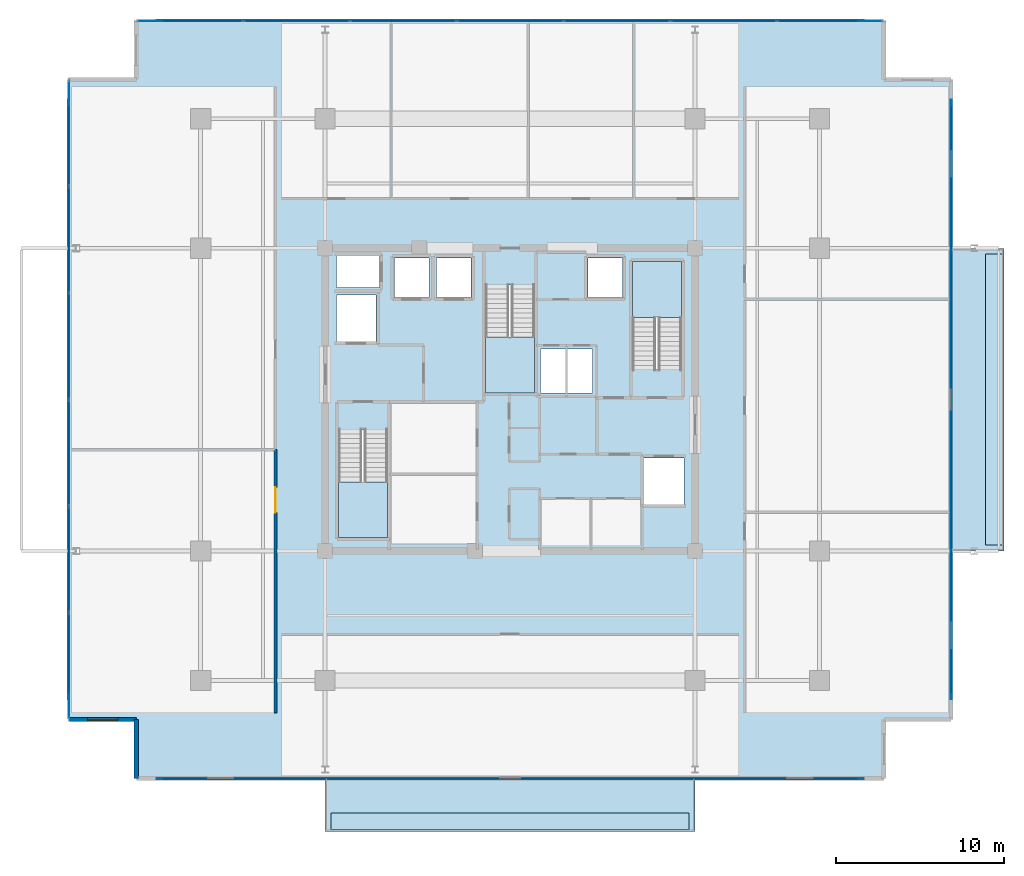
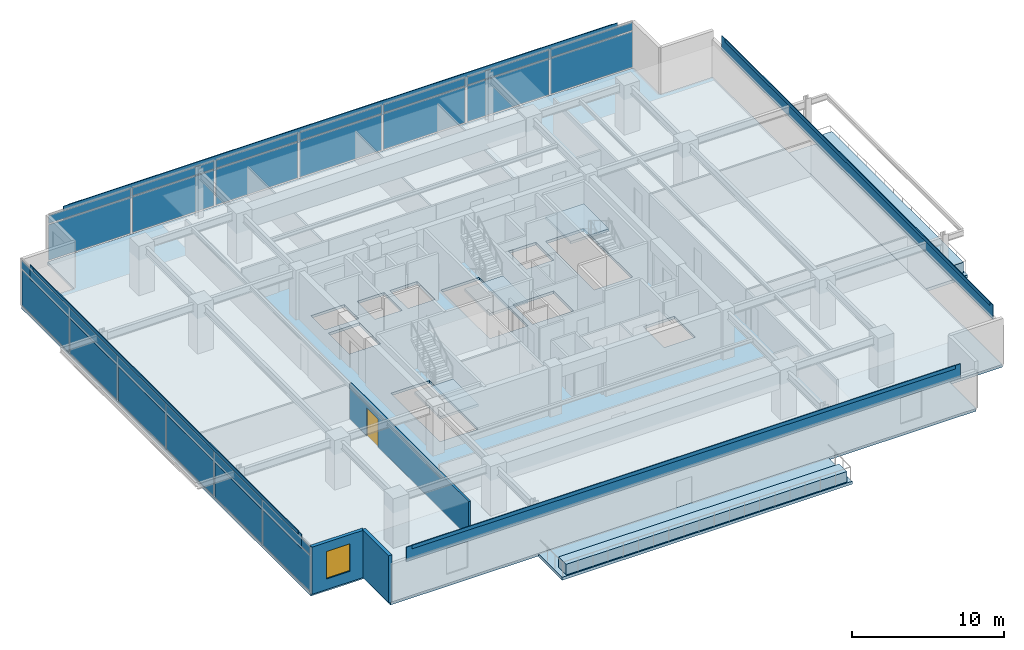
# One storey, part 15 of 23: 34 plates, 8 slabs, 3 walls, 1 door, 1 window, 2 openings, 5 elements without a shape of their own.
"""IFC4 building model written with IfcOpenShell, lengths in metres."""

from ifc_helpers import new_model, si_unit, direction, frame, frame_2d, origin, origin_2d, place, context, subcontext, project, spatial, polyline, rectangle, outline, extrude, material, layer, layer_set, type_object, element, fill, aggregate, save


model = new_model("IFC4")

# Units and contexts
model_context = context("Model", 3, precision=1e-05, world=origin(), true_north=direction((0.0, 1.0)))
body_context = subcontext(model_context, "Body", "Model", "MODEL_VIEW")
ifc_project = project(units=[si_unit("LENGTHUNIT", "METRE"), si_unit("AREAUNIT", "SQUARE_METRE"), si_unit("VOLUMEUNIT", "CUBIC_METRE"), si_unit("PLANEANGLEUNIT", "RADIAN"), si_unit("MASSUNIT", "GRAM", prefix="KILO")], contexts=[model_context])

# Site, building, storey
site_placement = place(None, origin())
site = spatial("IfcSite", under=ifc_project, at=site_placement, CompositionType="ELEMENT")
building_placement = place(site_placement, origin())
building = spatial("IfcBuilding", under=site, at=building_placement, Name="Kovane Verandah Tower", CompositionType="ELEMENT")
storey_placement = place(building_placement, frame((0.0, 0.0, 267.199951171875)))
storey = spatial("IfcBuildingStorey", under=building, at=storey_placement, Name="L62", CompositionType="ELEMENT", Elevation=267.199951171875)

# Curtain wall, plates
ifc_material_1 = material(Name="Champagne Anodised Aluminium Frame with Low-E Clear Laminated Glass", Category="aluminium")
curtain_wall_type = type_object("IfcCurtainWallType", Name="CW-SYS-05-HIGH", PredefinedType="NOTDEFINED", material=ifc_material_1)
curtain_wall_1_placement = place(storey_placement, origin())
curtain_wall_1 = element("IfcCurtainWall", 1, at=curtain_wall_1_placement, inside=storey, type_object=curtain_wall_type, Name="L62 N Unitised Curtain Wall", PredefinedType="NOTDEFINED")
ifc_material_2 = material(Name="Pale Champagne Anodised Aluminium Insulated Spandrel", Category="aluminium")
ifc_layer_1 = layer(ifc_material_2, 0.0400390625)
ifc_layer_set_1 = layer_set([ifc_layer_1], Name="Pale Champagne Anodised Aluminium Insulated Spandrel")
plate_type_1 = type_object("IfcPlateType", Name="PL-CW-SPD-40", PredefinedType="SHEET", material=ifc_layer_set_1)
plate_1_placement = place(storey_placement, frame((59.046142578125, 50.0234375, 3.05517578125), z_axis=(0.0, 0.0, 1.0), x_axis=(-1.0, 0.0, 0.0)))
plate_1 = element("IfcPlate", 2, at=plate_1_placement, type_object=plate_type_1, Name="L62 N Unitised Curtain Wall Spandrel Panel 1", PredefinedType="SHEET", context=body_context, shape_type="SweptSolid", body=[
    extrude(rectangle(XDim=6.208740234375, YDim=0.0400390625, at=origin_2d()), origin(), (0.0, 0.0, 1.0), 0.639892578125),
])
plate_2_placement = place(storey_placement, frame((52.697509765625, 50.0234375, 3.05517578125), z_axis=(0.0, 0.0, 1.0), x_axis=(-1.0, 0.0, 0.0)))
plate_2 = element("IfcPlate", 3, at=plate_2_placement, type_object=plate_type_1, Name="L62 N Unitised Curtain Wall Spandrel Panel 2", PredefinedType="SHEET", context=body_context, shape_type="SweptSolid", body=[
    extrude(rectangle(XDim=6.208740234375, YDim=0.0400390625, at=origin_2d()), origin(), (0.0, 0.0, 1.0), 0.639892578125),
])
plate_3_placement = place(storey_placement, frame((46.3486328125, 50.0234375, 3.05517578125), z_axis=(0.0, 0.0, 1.0), x_axis=(-1.0, 0.0, 0.0)))
plate_3 = element("IfcPlate", 4, at=plate_3_placement, type_object=plate_type_1, Name="L62 N Unitised Curtain Wall Spandrel Panel 3", PredefinedType="SHEET", context=body_context, shape_type="SweptSolid", body=[
    extrude(rectangle(XDim=6.208740234375, YDim=0.0400390625, at=origin_2d()), origin(), (0.0, 0.0, 1.0), 0.639892578125),
])
plate_4_placement = place(storey_placement, frame((40.0, 50.0234375, 3.05517578125), z_axis=(0.0, 0.0, 1.0), x_axis=(-1.0, 0.0, 0.0)))
plate_4 = element("IfcPlate", 5, at=plate_4_placement, type_object=plate_type_1, Name="L62 N Unitised Curtain Wall Spandrel Panel 4", PredefinedType="SHEET", context=body_context, shape_type="SweptSolid", body=[
    extrude(rectangle(XDim=6.208740234375, YDim=0.0400390625, at=origin_2d()), origin(), (0.0, 0.0, 1.0), 0.639892578125),
])
plate_5_placement = place(storey_placement, frame((33.6513671875, 50.0234375, 3.05517578125), z_axis=(0.0, 0.0, 1.0), x_axis=(-1.0, 0.0, 0.0)))
plate_5 = element("IfcPlate", 6, at=plate_5_placement, type_object=plate_type_1, Name="L62 N Unitised Curtain Wall Spandrel Panel 5", PredefinedType="SHEET", context=body_context, shape_type="SweptSolid", body=[
    extrude(rectangle(XDim=6.208740234375, YDim=0.0400390625, at=origin_2d()), origin(), (0.0, 0.0, 1.0), 0.639892578125),
])
plate_6_placement = place(storey_placement, frame((27.302490234375, 50.0234375, 3.05517578125), z_axis=(0.0, 0.0, 1.0), x_axis=(-1.0, 0.0, 0.0)))
plate_6 = element("IfcPlate", 7, at=plate_6_placement, type_object=plate_type_1, Name="L62 N Unitised Curtain Wall Spandrel Panel 6", PredefinedType="SHEET", context=body_context, shape_type="SweptSolid", body=[
    extrude(rectangle(XDim=6.208740234375, YDim=0.0400390625, at=origin_2d()), origin(), (0.0, 0.0, 1.0), 0.639892578125),
])
plate_7_placement = place(storey_placement, frame((20.953857421875, 50.0234375, 3.05517578125), z_axis=(0.0, 0.0, 1.0), x_axis=(-1.0, 0.0, 0.0)))
plate_7 = element("IfcPlate", 8, at=plate_7_placement, type_object=plate_type_1, Name="L62 N Unitised Curtain Wall Spandrel Panel 7", PredefinedType="SHEET", context=body_context, shape_type="SweptSolid", body=[
    extrude(rectangle(XDim=6.208740234375, YDim=0.0400390625, at=origin_2d()), origin(), (0.0, 0.0, 1.0), 0.639892578125),
])

curtain_wall_2_placement = place(storey_placement, origin())
curtain_wall_2 = element("IfcCurtainWall", 9, at=curtain_wall_2_placement, inside=storey, type_object=curtain_wall_type, Name="L62 W Unitised Curtain Wall", PredefinedType="NOTDEFINED")
plate_8_placement = place(storey_placement, frame((13.779296875, 43.352783203125, 3.05517578125), z_axis=(0.0, 0.0, 1.0), x_axis=(0.0, -1.0, 0.0)))
plate_8 = element("IfcPlate", 10, at=plate_8_placement, type_object=plate_type_1, Name="L62 W Unitised Curtain Wall Spandrel Panel 1", PredefinedType="SHEET", context=body_context, shape_type="SweptSolid", body=[
    extrude(rectangle(XDim=6.201171875, YDim=0.0400390625, at=origin_2d()), origin(), (0.0, 0.0, 1.0), 0.639892578125),
])
plate_9_placement = place(storey_placement, frame((13.779296875, 37.01171875, 3.05517578125), z_axis=(0.0, 0.0, 1.0), x_axis=(0.0, -1.0, 0.0)))
plate_9 = element("IfcPlate", 11, at=plate_9_placement, type_object=plate_type_1, Name="L62 W Unitised Curtain Wall Spandrel Panel 2", PredefinedType="SHEET", context=body_context, shape_type="SweptSolid", body=[
    extrude(rectangle(XDim=6.201171875, YDim=0.0400390625, at=origin_2d()), origin(), (0.0, 0.0, 1.0), 0.639892578125),
])
plate_10_placement = place(storey_placement, frame((13.779296875, 30.670654296875, 3.05517578125), z_axis=(0.0, 0.0, 1.0), x_axis=(0.0, -1.0, 0.0)))
plate_10 = element("IfcPlate", 12, at=plate_10_placement, type_object=plate_type_1, Name="L62 W Unitised Curtain Wall Spandrel Panel 3", PredefinedType="SHEET", context=body_context, shape_type="SweptSolid", body=[
    extrude(rectangle(XDim=6.201171875, YDim=0.0400390625, at=origin_2d()), origin(), (0.0, 0.0, 1.0), 0.639892578125),
])
plate_11_placement = place(storey_placement, frame((13.779296875, 24.329345703125, 3.05517578125), z_axis=(0.0, 0.0, 1.0), x_axis=(0.0, -1.0, 0.0)))
plate_11 = element("IfcPlate", 13, at=plate_11_placement, type_object=plate_type_1, Name="L62 W Unitised Curtain Wall Spandrel Panel 4", PredefinedType="SHEET", context=body_context, shape_type="SweptSolid", body=[
    extrude(rectangle(XDim=6.201171875, YDim=0.0400390625, at=origin_2d()), origin(), (0.0, 0.0, 1.0), 0.639892578125),
])
plate_12_placement = place(storey_placement, frame((13.779296875, 17.98828125, 3.05517578125), z_axis=(0.0, 0.0, 1.0), x_axis=(0.0, -1.0, 0.0)))
plate_12 = element("IfcPlate", 14, at=plate_12_placement, type_object=plate_type_1, Name="L62 W Unitised Curtain Wall Spandrel Panel 5", PredefinedType="SHEET", context=body_context, shape_type="SweptSolid", body=[
    extrude(rectangle(XDim=6.201171875, YDim=0.0400390625, at=origin_2d()), origin(), (0.0, 0.0, 1.0), 0.639892578125),
])
plate_13_placement = place(storey_placement, frame((13.779296875, 11.647216796875, 3.05517578125), z_axis=(0.0, 0.0, 1.0), x_axis=(0.0, -1.0, 0.0)))
plate_13 = element("IfcPlate", 15, at=plate_13_placement, type_object=plate_type_1, Name="L62 W Unitised Curtain Wall Spandrel Panel 6", PredefinedType="SHEET", context=body_context, shape_type="SweptSolid", body=[
    extrude(rectangle(XDim=6.201171875, YDim=0.0400390625, at=origin_2d()), origin(), (0.0, 0.0, 1.0), 0.639892578125),
])

# Plate
ifc_material_3 = material(Name="Clear Low-E Laminated Double Glazing", Category="glass")
ifc_layer_2 = layer(ifc_material_3, 0.031982421875)
ifc_layer_set_2 = layer_set([ifc_layer_2], Name="Clear Low-E Laminated Double Glazing")
plate_type_2 = type_object("IfcPlateType", Name="PL-CW-VIS-32", PredefinedType="CURTAIN_PANEL", material=ifc_layer_set_2)
plate_14_placement = place(storey_placement, frame((59.046142578125, 50.0234375, 0.10009765625), z_axis=(0.0, 0.0, 1.0), x_axis=(-1.0, 0.0, 0.0)))
plate_14 = element("IfcPlate", 16, at=plate_14_placement, type_object=plate_type_2, Name="L62 N Unitised Curtain Wall Vision Panel 1", PredefinedType="CURTAIN_PANEL", context=body_context, shape_type="SweptSolid", body=[
    extrude(rectangle(XDim=6.208740234375, YDim=0.031982421875, at=origin_2d()), origin(), (0.0, 0.0, 1.0), 2.85498046875),
])

plate_15_placement = place(storey_placement, frame((52.697509765625, 50.0234375, 0.10009765625), z_axis=(0.0, 0.0, 1.0), x_axis=(-1.0, 0.0, 0.0)))
plate_15 = element("IfcPlate", 17, at=plate_15_placement, type_object=plate_type_2, Name="L62 N Unitised Curtain Wall Vision Panel 2", PredefinedType="CURTAIN_PANEL", context=body_context, shape_type="SweptSolid", body=[
    extrude(rectangle(XDim=6.208740234375, YDim=0.031982421875, at=origin_2d()), origin(), (0.0, 0.0, 1.0), 2.85498046875),
])

plate_16_placement = place(storey_placement, frame((46.3486328125, 50.0234375, 0.10009765625), z_axis=(0.0, 0.0, 1.0), x_axis=(-1.0, 0.0, 0.0)))
plate_16 = element("IfcPlate", 18, at=plate_16_placement, type_object=plate_type_2, Name="L62 N Unitised Curtain Wall Vision Panel 3", PredefinedType="CURTAIN_PANEL", context=body_context, shape_type="SweptSolid", body=[
    extrude(rectangle(XDim=6.208740234375, YDim=0.031982421875, at=origin_2d()), origin(), (0.0, 0.0, 1.0), 2.85498046875),
])

plate_17_placement = place(storey_placement, frame((40.0, 50.0234375, 0.10009765625), z_axis=(0.0, 0.0, 1.0), x_axis=(-1.0, 0.0, 0.0)))
plate_17 = element("IfcPlate", 19, at=plate_17_placement, type_object=plate_type_2, Name="L62 N Unitised Curtain Wall Vision Panel 4", PredefinedType="CURTAIN_PANEL", context=body_context, shape_type="SweptSolid", body=[
    extrude(rectangle(XDim=6.208740234375, YDim=0.031982421875, at=origin_2d()), origin(), (0.0, 0.0, 1.0), 2.85498046875),
])

plate_18_placement = place(storey_placement, frame((33.6513671875, 50.0234375, 0.10009765625), z_axis=(0.0, 0.0, 1.0), x_axis=(-1.0, 0.0, 0.0)))
plate_18 = element("IfcPlate", 20, at=plate_18_placement, type_object=plate_type_2, Name="L62 N Unitised Curtain Wall Vision Panel 5", PredefinedType="CURTAIN_PANEL", context=body_context, shape_type="SweptSolid", body=[
    extrude(rectangle(XDim=6.208740234375, YDim=0.031982421875, at=origin_2d()), origin(), (0.0, 0.0, 1.0), 2.85498046875),
])

plate_19_placement = place(storey_placement, frame((27.302490234375, 50.0234375, 0.10009765625), z_axis=(0.0, 0.0, 1.0), x_axis=(-1.0, 0.0, 0.0)))
plate_19 = element("IfcPlate", 21, at=plate_19_placement, type_object=plate_type_2, Name="L62 N Unitised Curtain Wall Vision Panel 6", PredefinedType="CURTAIN_PANEL", context=body_context, shape_type="SweptSolid", body=[
    extrude(rectangle(XDim=6.208740234375, YDim=0.031982421875, at=origin_2d()), origin(), (0.0, 0.0, 1.0), 2.85498046875),
])

plate_20_placement = place(storey_placement, frame((20.953857421875, 50.0234375, 0.10009765625), z_axis=(0.0, 0.0, 1.0), x_axis=(-1.0, 0.0, 0.0)))
plate_20 = element("IfcPlate", 22, at=plate_20_placement, type_object=plate_type_2, Name="L62 N Unitised Curtain Wall Vision Panel 7", PredefinedType="CURTAIN_PANEL", context=body_context, shape_type="SweptSolid", body=[
    extrude(rectangle(XDim=6.208740234375, YDim=0.031982421875, at=origin_2d()), origin(), (0.0, 0.0, 1.0), 2.85498046875),
])

aggregate(curtain_wall_1, [plate_14, plate_1, plate_15, plate_2, plate_16, plate_3, plate_17, plate_4, plate_18, plate_5, plate_19, plate_6, plate_20, plate_7])

plate_21_placement = place(storey_placement, frame((13.779296875, 43.352783203125, 0.10009765625), z_axis=(0.0, 0.0, 1.0), x_axis=(0.0, -1.0, 0.0)))
plate_21 = element("IfcPlate", 23, at=plate_21_placement, type_object=plate_type_2, Name="L62 W Unitised Curtain Wall Vision Panel 1", PredefinedType="CURTAIN_PANEL", context=body_context, shape_type="SweptSolid", body=[
    extrude(rectangle(XDim=6.201171875, YDim=0.031982421875, at=origin_2d()), origin(), (0.0, 0.0, 1.0), 2.85498046875),
])

plate_22_placement = place(storey_placement, frame((13.779296875, 37.01171875, 0.10009765625), z_axis=(0.0, 0.0, 1.0), x_axis=(0.0, -1.0, 0.0)))
plate_22 = element("IfcPlate", 24, at=plate_22_placement, type_object=plate_type_2, Name="L62 W Unitised Curtain Wall Vision Panel 2", PredefinedType="CURTAIN_PANEL", context=body_context, shape_type="SweptSolid", body=[
    extrude(rectangle(XDim=6.201171875, YDim=0.031982421875, at=origin_2d()), origin(), (0.0, 0.0, 1.0), 2.85498046875),
])

plate_23_placement = place(storey_placement, frame((13.779296875, 30.670654296875, 0.10009765625), z_axis=(0.0, 0.0, 1.0), x_axis=(0.0, -1.0, 0.0)))
plate_23 = element("IfcPlate", 25, at=plate_23_placement, type_object=plate_type_2, Name="L62 W Unitised Curtain Wall Vision Panel 3", PredefinedType="CURTAIN_PANEL", context=body_context, shape_type="SweptSolid", body=[
    extrude(rectangle(XDim=6.201171875, YDim=0.031982421875, at=origin_2d()), origin(), (0.0, 0.0, 1.0), 2.85498046875),
])

plate_24_placement = place(storey_placement, frame((13.779296875, 24.329345703125, 0.10009765625), z_axis=(0.0, 0.0, 1.0), x_axis=(0.0, -1.0, 0.0)))
plate_24 = element("IfcPlate", 26, at=plate_24_placement, type_object=plate_type_2, Name="L62 W Unitised Curtain Wall Vision Panel 4", PredefinedType="CURTAIN_PANEL", context=body_context, shape_type="SweptSolid", body=[
    extrude(rectangle(XDim=6.201171875, YDim=0.031982421875, at=origin_2d()), origin(), (0.0, 0.0, 1.0), 2.85498046875),
])

plate_25_placement = place(storey_placement, frame((13.779296875, 17.98828125, 0.10009765625), z_axis=(0.0, 0.0, 1.0), x_axis=(0.0, -1.0, 0.0)))
plate_25 = element("IfcPlate", 27, at=plate_25_placement, type_object=plate_type_2, Name="L62 W Unitised Curtain Wall Vision Panel 5", PredefinedType="CURTAIN_PANEL", context=body_context, shape_type="SweptSolid", body=[
    extrude(rectangle(XDim=6.201171875, YDim=0.031982421875, at=origin_2d()), origin(), (0.0, 0.0, 1.0), 2.85498046875),
])

plate_26_placement = place(storey_placement, frame((13.779296875, 11.647216796875, 0.10009765625), z_axis=(0.0, 0.0, 1.0), x_axis=(0.0, -1.0, 0.0)))
plate_26 = element("IfcPlate", 28, at=plate_26_placement, type_object=plate_type_2, Name="L62 W Unitised Curtain Wall Vision Panel 6", PredefinedType="CURTAIN_PANEL", context=body_context, shape_type="SweptSolid", body=[
    extrude(rectangle(XDim=6.201171875, YDim=0.031982421875, at=origin_2d()), origin(), (0.0, 0.0, 1.0), 2.85498046875),
])

aggregate(curtain_wall_2, [plate_21, plate_8, plate_22, plate_9, plate_23, plate_10, plate_24, plate_11, plate_25, plate_12, plate_26, plate_13])

# Plates
ifc_material_4 = material(Name="Perforated Pale Champagne Anodised Aluminium Solar Screen", Category="aluminium")
ifc_layer_3 = layer(ifc_material_4, 0.050048828125)
ifc_layer_set_3 = layer_set([ifc_layer_3], Name="Perforated Pale Champagne Anodised Aluminium Solar Screen")
plate_type_3 = type_object("IfcPlateType", Name="PL-SCREEN-50", PredefinedType="USERDEFINED", material=ifc_layer_set_3)
plate_27_placement = place(storey_placement, frame((40.0, 4.961669921875, 2.885009765625), z_axis=(0.0, 0.0, 1.0), x_axis=(1.0, 0.0, 0.0)))
element("IfcPlate", 29, at=plate_27_placement, inside=storey, type_object=plate_type_3, Name="L62 S Perforated Champagne-Gold Solar Screen", ObjectType="SCREEN", PredefinedType="USERDEFINED", context=body_context, shape_type="SweptSolid", body=[
    extrude(rectangle(XDim=42.041015625, YDim=0.050048828125, at=origin_2d()), origin(), (0.0, 0.0, 1.0), 1.14990234375),
])
plate_28_placement = place(storey_placement, frame((66.235595703125, 27.5, 2.885009765625), z_axis=(0.0, 0.0, 1.0), x_axis=(0.0, 1.0, 0.0)))
element("IfcPlate", 30, at=plate_28_placement, inside=storey, type_object=plate_type_3, Name="L62 E Perforated Champagne-Gold Solar Screen", ObjectType="SCREEN", PredefinedType="USERDEFINED", context=body_context, shape_type="SweptSolid", body=[
    extrude(rectangle(XDim=35.64697265625, YDim=0.050048828125, at=origin_2d()), origin(), (0.0, 0.0, 1.0), 1.14990234375),
])
plate_29_placement = place(storey_placement, frame((40.0, 50.038330078125, 2.885009765625), z_axis=(0.0, 0.0, 1.0), x_axis=(-1.0, 0.0, 0.0)))
element("IfcPlate", 31, at=plate_29_placement, inside=storey, type_object=plate_type_3, Name="L62 N Perforated Champagne-Gold Solar Screen", ObjectType="SCREEN", PredefinedType="USERDEFINED", context=body_context, shape_type="SweptSolid", body=[
    extrude(rectangle(XDim=42.041015625, YDim=0.050048828125, at=origin_2d()), origin(), (0.0, 0.0, 1.0), 1.14990234375),
])
plate_30_placement = place(storey_placement, frame((13.764404296875, 27.5, 2.885009765625), z_axis=(0.0, 0.0, 1.0), x_axis=(0.0, -1.0, 0.0)))
element("IfcPlate", 32, at=plate_30_placement, inside=storey, type_object=plate_type_3, Name="L62 W Perforated Champagne-Gold Solar Screen", ObjectType="SCREEN", PredefinedType="USERDEFINED", context=body_context, shape_type="SweptSolid", body=[
    extrude(rectangle(XDim=35.64697265625, YDim=0.050048828125, at=origin_2d()), origin(), (0.0, 0.0, 1.0), 1.14990234375),
])
ifc_material_5 = material(Name="Extruded Pale-Bronze Aluminium Aerofoil Sunshade", Category="aluminium")
ifc_layer_4 = layer(ifc_material_5, 0.06005859375)
ifc_layer_set_4 = layer_set([ifc_layer_4], Name="Extruded Pale-Bronze Aluminium Aerofoil Sunshade")
plate_type_4 = type_object("IfcPlateType", Name="PL-SUNSHADE-60", PredefinedType="USERDEFINED", material=ifc_layer_set_4)
plate_31_placement = place(storey_placement, frame((40.0, 4.95654296875, 3.76513671875), z_axis=(0.0, 0.0, 1.0), x_axis=(1.0, 0.0, 0.0)))
element("IfcPlate", 33, at=plate_31_placement, inside=storey, type_object=plate_type_4, Name="L62 S Subtropical Aerofoil Sunshade", ObjectType="SUNSHADE", PredefinedType="USERDEFINED", context=body_context, shape_type="SweptSolid", body=[
    extrude(rectangle(XDim=41.240966796875, YDim=0.06005859375, at=origin_2d()), origin(), (0.0, 0.0, 1.0), 0.280029296875),
])
plate_32_placement = place(storey_placement, frame((66.240478515625, 27.5, 3.76513671875), z_axis=(0.0, 0.0, 1.0), x_axis=(0.0, 1.0, 0.0)))
element("IfcPlate", 34, at=plate_32_placement, inside=storey, type_object=plate_type_4, Name="L62 E Subtropical Aerofoil Sunshade", ObjectType="SUNSHADE", PredefinedType="USERDEFINED", context=body_context, shape_type="SweptSolid", body=[
    extrude(rectangle(XDim=34.846923828125, YDim=0.06005859375, at=origin_2d()), origin(), (0.0, 0.0, 1.0), 0.280029296875),
])
plate_33_placement = place(storey_placement, frame((40.0, 50.04345703125, 3.76513671875), z_axis=(0.0, 0.0, 1.0), x_axis=(-1.0, 0.0, 0.0)))
element("IfcPlate", 35, at=plate_33_placement, inside=storey, type_object=plate_type_4, Name="L62 N Subtropical Aerofoil Sunshade", ObjectType="SUNSHADE", PredefinedType="USERDEFINED", context=body_context, shape_type="SweptSolid", body=[
    extrude(rectangle(XDim=41.240966796875, YDim=0.06005859375, at=origin_2d()), origin(), (0.0, 0.0, 1.0), 0.280029296875),
])
plate_34_placement = place(storey_placement, frame((13.759521484375, 27.5, 3.76513671875), z_axis=(0.0, 0.0, 1.0), x_axis=(0.0, -1.0, 0.0)))
element("IfcPlate", 36, at=plate_34_placement, inside=storey, type_object=plate_type_4, Name="L62 W Subtropical Aerofoil Sunshade", ObjectType="SUNSHADE", PredefinedType="USERDEFINED", context=body_context, shape_type="SweptSolid", body=[
    extrude(rectangle(XDim=34.846923828125, YDim=0.06005859375, at=origin_2d()), origin(), (0.0, 0.0, 1.0), 0.280029296875),
])

# Slabs
ifc_material_6 = material(Name="Concrete C45/55", Category="concrete")
ifc_layer_5 = layer(ifc_material_6, 0.239990234375)
ifc_layer_set_5 = layer_set([ifc_layer_5], Name="Concrete C45/55")
slab_type_1 = type_object("IfcSlabType", Name="SL-BALC-240", PredefinedType="FLOOR", material=ifc_layer_set_5)
slab_1_placement = place(storey_placement, frame((0.0, 0.0, -0.239990234375)))
element("IfcSlab", 37, at=slab_1_placement, inside=storey, type_object=slab_type_1, Name="L62 S Planted Verandah Balcony Slab", PredefinedType="FLOOR", context=body_context, shape_type="SweptSolid", body=[
    extrude(outline(polyline([(29.0, 1.82666015625), (51.0, 1.82666015625), (51.0, 4.9765625), (29.0, 4.9765625), (29.0, 1.82666015625)])), origin(), (0.0, 0.0, 1.0), 0.239990234375),
])
slab_2_placement = place(storey_placement, frame((0.0, 0.0, -0.239990234375)))
element("IfcSlab", 38, at=slab_2_placement, inside=storey, type_object=slab_type_1, Name="L62 E Planted Verandah Balcony Slab", PredefinedType="FLOOR", context=body_context, shape_type="SweptSolid", body=[
    extrude(outline(polyline([(66.220703125, 18.5), (69.37060546875, 18.5), (69.37060546875, 36.5), (66.220703125, 36.5), (66.220703125, 18.5)])), origin(), (0.0, 0.0, 1.0), 0.239990234375),
])
ifc_layer_6 = layer(ifc_material_6, 0.215087890625)
ifc_layer_set_6 = layer_set([ifc_layer_6], Name="Concrete C45/55")
slab_type_2 = type_object("IfcSlabType", Name="SL-HIGH-215", PredefinedType="FLOOR", material=ifc_layer_set_6)
slab_3_placement = place(storey_placement, frame((0.0, 0.0, -0.21484375)))
element("IfcSlab", 39, at=slab_3_placement, inside=storey, type_object=slab_type_2, Name="L62 Structural Floor Slab", PredefinedType="FLOOR", context=body_context, shape_type="SweptSolid", body=[
    extrude(outline(polyline([(17.779296875, 4.9765625), (62.220703125, 4.9765625), (62.220703125, 8.4765625), (66.220703125, 8.4765625), (66.220703125, 46.5234375), (62.220703125, 46.5234375), (62.220703125, 50.0234375), (17.779296875, 50.0234375), (17.779296875, 46.5234375), (13.779296875, 46.5234375), (13.779296875, 8.4765625), (17.779296875, 8.4765625), (17.779296875, 4.9765625)]), holes=[polyline([(29.800048828125, 19.300048828125), (32.719970703125, 19.300048828125), (32.719970703125, 25.705078125), (29.800048828125, 25.705078125), (29.800048828125, 19.300048828125)]), polyline([(47.280029296875, 29.294921875), (50.199951171875, 29.294921875), (50.199951171875, 35.699951171875), (47.280029296875, 35.699951171875), (47.280029296875, 29.294921875)]), polyline([(38.5400390625, 27.89990234375), (41.4599609375, 27.89990234375), (41.4599609375, 34.304931640625), (38.5400390625, 34.304931640625), (38.5400390625, 27.89990234375)]), polyline([(29.669921875, 30.969970703125), (32.030029296875, 30.969970703125), (32.030029296875, 33.72998046875), (29.669921875, 33.72998046875), (29.669921875, 30.969970703125)]), polyline([(47.969970703125, 21.27001953125), (50.330078125, 21.27001953125), (50.330078125, 24.030029296875), (47.969970703125, 24.030029296875), (47.969970703125, 21.27001953125)]), polyline([(29.669921875, 34.169921875), (32.22998046875, 34.169921875), (32.22998046875, 36.030029296875), (29.669921875, 36.030029296875), (29.669921875, 34.169921875)]), polyline([(33.1201171875, 33.570068359375), (35.179931640625, 33.570068359375), (35.179931640625, 35.929931640625), (33.1201171875, 35.929931640625), (33.1201171875, 33.570068359375)]), polyline([(35.6201171875, 33.570068359375), (37.679931640625, 33.570068359375), (37.679931640625, 35.929931640625), (35.6201171875, 35.929931640625), (35.6201171875, 33.570068359375)]), polyline([(44.6201171875, 33.570068359375), (46.679931640625, 33.570068359375), (46.679931640625, 35.929931640625), (44.6201171875, 35.929931640625), (44.6201171875, 33.570068359375)]), polyline([(41.800048828125, 27.89990234375), (44.89990234375, 27.89990234375), (44.89990234375, 30.5), (41.800048828125, 30.5), (41.800048828125, 27.89990234375)])]), origin(), (0.0, 0.0, 1.0), 0.21484375),
])

# Stair, slab
stair_type = type_object("IfcStairType", Name="ST-CORE-1380", PredefinedType="HALF_TURN_STAIR", material=ifc_material_6)
stair_1_placement = place(storey_placement, origin())
stair_1 = element("IfcStair", 40, at=stair_1_placement, inside=storey, type_object=stair_type, Name="L62 Exit Stair ST-01", PredefinedType="HALF_TURN_STAIR")
ifc_layer_7 = layer(ifc_material_6, 0.199951171875)
ifc_layer_set_7 = layer_set([ifc_layer_7], Name="Concrete C45/55")
slab_type_3 = type_object("IfcSlabType", Name="SL-LAND-200", PredefinedType="LANDING", material=ifc_layer_set_7)
slab_4_placement = place(storey_placement, frame((0.0, 0.0, 1.800048828125)))
slab_4 = element("IfcSlab", 41, at=slab_4_placement, type_object=slab_type_3, Name="ST-01 landing 1", PredefinedType="LANDING", context=body_context, shape_type="SweptSolid", body=[
    extrude(outline(polyline([(29.800048828125, 22.614990234375), (29.800048828125, 19.300048828125), (32.719970703125, 19.300048828125), (32.719970703125, 22.614990234375), (29.800048828125, 22.614990234375)])), origin(), (0.0, 0.0, 1.0), 0.199951171875),
])
aggregate(stair_1, [slab_4])

stair_2_placement = place(storey_placement, origin())
stair_2 = element("IfcStair", 42, at=stair_2_placement, inside=storey, type_object=stair_type, Name="L62 Exit Stair ST-02", PredefinedType="HALF_TURN_STAIR")
slab_5_placement = place(storey_placement, frame((0.0, 0.0, 1.800048828125)))
slab_5 = element("IfcSlab", 43, at=slab_5_placement, type_object=slab_type_3, Name="ST-02 landing 1", PredefinedType="LANDING", context=body_context, shape_type="SweptSolid", body=[
    extrude(outline(polyline([(50.199951171875, 32.385009765625), (50.199951171875, 35.699951171875), (47.280029296875, 35.699951171875), (47.280029296875, 32.385009765625), (50.199951171875, 32.385009765625)])), origin(), (0.0, 0.0, 1.0), 0.199951171875),
])
aggregate(stair_2, [slab_5])

stair_3_placement = place(storey_placement, origin())
stair_3 = element("IfcStair", 44, at=stair_3_placement, inside=storey, type_object=stair_type, Name="L62 Exit Stair ST-03", PredefinedType="HALF_TURN_STAIR")
slab_6_placement = place(storey_placement, frame((0.0, 0.0, 1.800048828125)))
slab_6 = element("IfcSlab", 45, at=slab_6_placement, type_object=slab_type_3, Name="ST-03 landing 1", PredefinedType="LANDING", context=body_context, shape_type="SweptSolid", body=[
    extrude(outline(polyline([(38.5400390625, 31.215087890625), (38.5400390625, 27.89990234375), (41.4599609375, 27.89990234375), (41.4599609375, 31.215087890625), (38.5400390625, 31.215087890625)])), origin(), (0.0, 0.0, 1.0), 0.199951171875),
])
aggregate(stair_3, [slab_6])

# Slabs
ifc_material_7 = material(Name="Architectural Precast Concrete C45/55 Planter Trough", Category="concrete")
ifc_layer_8 = layer(ifc_material_7, 0.219970703125)
ifc_layer_set_8 = layer_set([ifc_layer_8], Name="Architectural Precast Concrete C45/55 Planter Trough")
slab_type_4 = type_object("IfcSlabType", Name="SL-PLANTER-220", PredefinedType="USERDEFINED", material=ifc_layer_set_8)
slab_7_placement = place(storey_placement, origin())
element("IfcSlab", 46, at=slab_7_placement, inside=storey, type_object=slab_type_4, Name="L62 S Structural Tree Planter", ObjectType="PLANTER", PredefinedType="USERDEFINED", context=body_context, shape_type="SweptSolid", body=[
    extrude(outline(polyline([(29.35009765625, 1.926513671875), (50.64990234375, 1.926513671875), (50.64990234375, 2.926513671875), (29.35009765625, 2.926513671875), (29.35009765625, 1.926513671875)])), origin(), (0.0, 0.0, 1.0), 0.85009765625),
])
slab_8_placement = place(storey_placement, origin())
element("IfcSlab", 47, at=slab_8_placement, inside=storey, type_object=slab_type_4, Name="L62 E Structural Tree Planter", ObjectType="PLANTER", PredefinedType="USERDEFINED", context=body_context, shape_type="SweptSolid", body=[
    extrude(outline(polyline([(68.2705078125, 18.85009765625), (69.2705078125, 18.85009765625), (69.2705078125, 36.14990234375), (68.2705078125, 36.14990234375), (68.2705078125, 18.85009765625)])), origin(), (0.0, 0.0, 1.0), 0.85009765625),
])

# Wall, opening, door
ifc_material_8 = material(Name="Fire-Rated Gypsum Stud Partition", Category="gypsum")
ifc_layer_9 = layer(ifc_material_8, 0.14990234375)
ifc_layer_set_9 = layer_set([ifc_layer_9], Name="Fire-Rated Gypsum Stud Partition")
wall_type_1 = type_object("IfcWallType", Name="WL-COR-150", PredefinedType="PARTITIONING", material=ifc_layer_set_9)
wall_1_placement = place(storey_placement, frame((26.050048828125, 8.876708984375, 0.0), z_axis=(0.0, 0.0, 1.0), x_axis=(0.0, 1.0, 0.0)))
wall_1 = element("IfcWall", 48, at=wall_1_placement, inside=storey, type_object=wall_type_1, Name="L62 Client Boardroom W1 Corridor Partition", PredefinedType="PARTITIONING", context=body_context, shape_type="SweptSolid", body=[
    extrude(rectangle(XDim=15.6435546875, YDim=0.14990234375, at=frame_2d((7.82177734375, 0.0))), origin(), (0.0, 0.0, 1.0), 2.85009765625),
])
opening_1_placement = place(wall_1_placement, frame((11.898681640625, 0.0, 0.0)))
opening_1 = element("IfcOpeningElement", 49, at=opening_1_placement, cuts=wall_1, Name="Opening DR-L62-030", PredefinedType="OPENING", context=body_context, shape_type="SweptSolid", body=[
    extrude(rectangle(XDim=1.5, YDim=2.25, at=frame_2d((0.75, 1.125))), frame((0.0, 0.074951171875, 0.0), z_axis=(0.0, -1.0, 0.0), x_axis=(1.0, 0.0, 0.0)), (0.0, 0.0, 1.0), 0.14990234375),
])
ifc_material_9 = material(Name="Glazed Timber Fire-Rated Double Door", Category="wood")
door_type = type_object("IfcDoorType", Name="DR-CONF-1500", OperationType="DOUBLE_DOOR_SINGLE_SWING", PredefinedType="DOOR", material=ifc_material_9)
door_placement = place(opening_1_placement, origin())
door = element("IfcDoor", 50, at=door_placement, inside=storey, type_object=door_type, Name="L62 Client Boardroom W1 Entrance Door", OperationType="DOUBLE_DOOR_SINGLE_SWING", OverallHeight=2.25, OverallWidth=1.5, PredefinedType="DOOR", context=body_context, shape_type="SweptSolid", body=[
    extrude(rectangle(XDim=1.5, YDim=2.25, at=frame_2d((0.75, 1.125))), frame((0.0, 0.02490234375, 0.0), z_axis=(0.0, -1.0, 0.0), x_axis=(1.0, 0.0, 0.0)), (0.0, 0.0, 1.0), 0.050048828125),
])
fill(opening_1, door)

# Wall, opening, window
ifc_material_10 = material(Name="Concrete C45/55 Insulated Spandrel Wall", Category="concrete")
ifc_layer_10 = layer(ifc_material_10, 0.260009765625)
ifc_layer_set_10 = layer_set([ifc_layer_10], Name="Concrete C45/55 Insulated Spandrel Wall")
wall_type_2 = type_object("IfcWallType", Name="WL-SPANDREL-260", PredefinedType="PARAPET", material=ifc_layer_set_10)
wall_2_placement = place(storey_placement, frame((13.779296875, 8.4765625, 0.0), z_axis=(0.0, 0.0, 1.0), x_axis=(1.0, 0.0, 0.0)))
wall_2 = element("IfcWall", 51, at=wall_2_placement, inside=storey, type_object=wall_type_2, Name="L62 SW Notch Cheek Wall 1", PredefinedType="PARAPET", context=body_context, shape_type="SweptSolid", body=[
    extrude(rectangle(XDim=4.0, YDim=0.260009765625, at=frame_2d((2.0, 0.0))), origin(), (0.0, 0.0, 1.0), 3.78515625),
])
opening_2_placement = place(wall_2_placement, frame((1.10009765625, 0.0, 0.85009765625)))
opening_2 = element("IfcOpeningElement", 52, at=opening_2_placement, cuts=wall_2, Name="Opening W-03", PredefinedType="OPENING", context=body_context, shape_type="SweptSolid", body=[
    extrude(rectangle(XDim=1.800048828125, YDim=2.199951171875, at=frame_2d((0.89990234375, 1.10009765625))), frame((0.0, 0.1298828125, 0.0), z_axis=(0.0, -1.0, 0.0), x_axis=(1.0, 0.0, 0.0)), (0.0, 0.0, 1.0), 0.260009765625),
])
ifc_material_11 = material(Name="Clear Low-E Laminated Double Glazing in Anodised Frame", Category="glass")
window_type = type_object("IfcWindowType", Name="WN-NOTCH-1800x2200", PartitioningType="SINGLE_PANEL", PredefinedType="WINDOW", material=ifc_material_11)
window_placement = place(opening_2_placement, origin())
window = element("IfcWindow", 53, at=window_placement, inside=storey, type_object=window_type, Name="L62 SW Re-Entrant Corner Operable Window", OverallHeight=2.199951171875, OverallWidth=1.800048828125, PartitioningType="SINGLE_PANEL", PredefinedType="WINDOW", context=body_context, shape_type="SweptSolid", body=[
    extrude(rectangle(XDim=1.800048828125, YDim=2.199951171875, at=frame_2d((0.89990234375, 1.10009765625))), frame((0.0, 0.030029296875, 0.0), z_axis=(0.0, -1.0, 0.0), x_axis=(1.0, 0.0, 0.0)), (0.0, 0.0, 1.0), 0.06005859375),
])
fill(opening_2, window)

# Wall
wall_3_placement = place(storey_placement, frame((17.779296875, 8.4765625, 0.0), z_axis=(0.0, 0.0, 1.0), x_axis=(0.0, -1.0, 0.0)))
element("IfcWall", 54, at=wall_3_placement, inside=storey, type_object=wall_type_2, Name="L62 SW Notch Cheek Wall 2", PredefinedType="PARAPET", context=body_context, shape_type="SweptSolid", body=[
    extrude(rectangle(XDim=3.5, YDim=0.260009765625, at=frame_2d((1.75, 0.0))), origin(), (0.0, 0.0, 1.0), 3.78515625),
])

save(model, "model.ifc")
